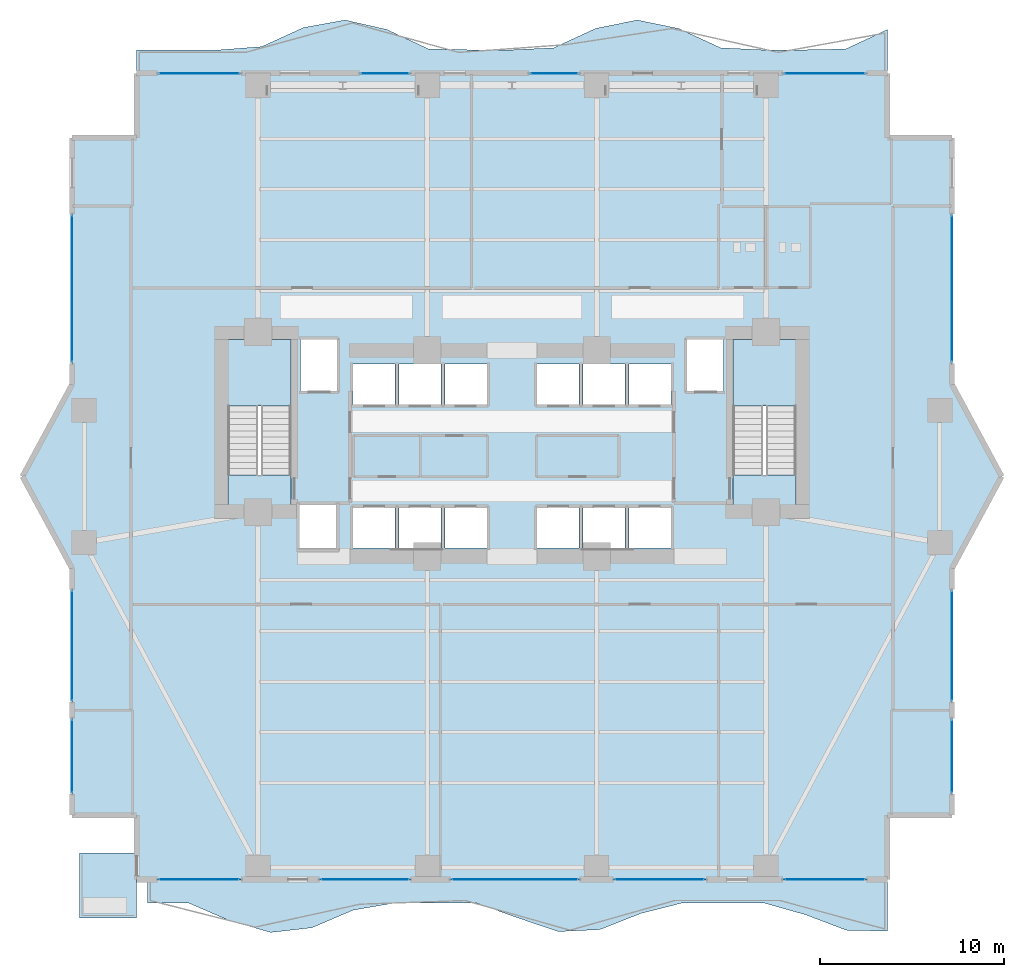
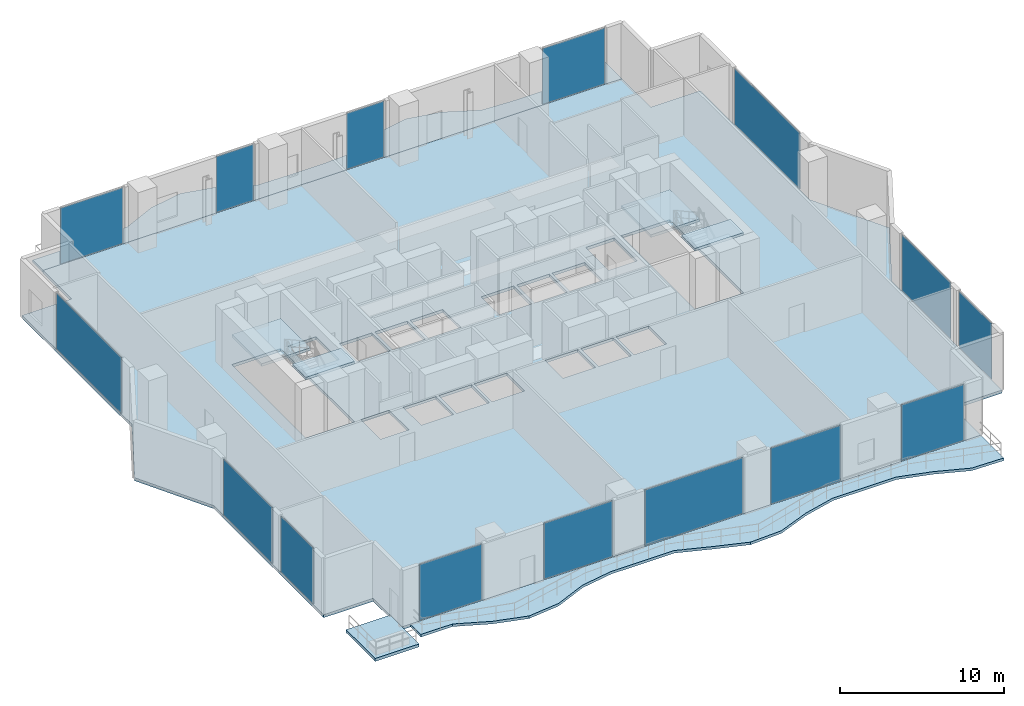
# One storey, part 24 of 33: 15 plates, 8 slabs, 17 elements without a shape of their own.
"""IFC4 building model written with IfcOpenShell, lengths in metres."""

from ifc_helpers import new_model, si_unit, direction, frame, origin, origin_2d, place, context, subcontext, project, spatial, polyline, rectangle, outline, extrude, material, layer, layer_set, type_object, element, aggregate, save


model = new_model("IFC4")

# Units and contexts
model_context = context("Model", 3, precision=1e-05, world=origin(), true_north=direction((0.0, 1.0)))
body_context = subcontext(model_context, "Body", "Model", "MODEL_VIEW")
ifc_project = project(units=[si_unit("LENGTHUNIT", "METRE"), si_unit("AREAUNIT", "SQUARE_METRE"), si_unit("VOLUMEUNIT", "CUBIC_METRE"), si_unit("PLANEANGLEUNIT", "RADIAN"), si_unit("MASSUNIT", "GRAM", prefix="KILO")], contexts=[model_context])

# Site, building, storey
site_placement = place(None, origin())
site = spatial("IfcSite", under=ifc_project, at=site_placement, CompositionType="ELEMENT")
building_placement = place(site_placement, origin())
building = spatial("IfcBuilding", under=site, at=building_placement, Name="Zuhayl Quay Hotel", CompositionType="ELEMENT")
storey_placement = place(building_placement, frame((0.0, 0.0, 154.050048828125)))
storey = spatial("IfcBuildingStorey", under=building, at=storey_placement, Name="L39", CompositionType="ELEMENT", Elevation=154.050048828125)

# Curtain wall, plate
ifc_material_1 = material(Name="Anodised Aluminium 6063-T6", Category="aluminium")
ifc_layer_1 = layer(ifc_material_1, 0.179931640625, Name="Anodised Aluminium 6063-T6", Category="aluminium")
ifc_layer_set_1 = layer_set([ifc_layer_1], Name="Anodised Aluminium 6063-T6")
curtain_wall_type = type_object("IfcCurtainWallType", Name="CW_SYS_Z2", PredefinedType="USERDEFINED", material=ifc_layer_set_1)
curtain_wall_1_placement = place(storey_placement, origin())
curtain_wall_1 = element("IfcCurtainWall", 1, at=curtain_wall_1_placement, inside=storey, type_object=curtain_wall_type, Name="L39 Curtain Wall ENV_L39_E02_CW1", ObjectType="UNITISED CURTAIN WALL", PredefinedType="USERDEFINED")
ifc_material_2 = material(Name="Dark Ceramic-Fritted Solar Glass", Category="glass")
ifc_layer_2 = layer(ifc_material_2, 0.035888671875, Name="Dark Ceramic-Fritted Solar Glass", Category="glass")
ifc_layer_set_2 = layer_set([ifc_layer_2], Name="Dark Ceramic-Fritted Solar Glass")
plate_type = type_object("IfcPlateType", Name="PN_DARK_FRIT_Z1", PredefinedType="CURTAIN_PANEL", material=ifc_layer_set_2)
plate_1_placement = place(storey_placement, frame((-23.89990234375, -8.699951171875, 0.06005859375), z_axis=(0.0, 0.0, 1.0), x_axis=(0.0, 1.0, 0.0)))
plate_1 = element("IfcPlate", 2, at=plate_1_placement, type_object=plate_type, Name="CW-Z2 panel 1.1", PredefinedType="CURTAIN_PANEL", context=body_context, shape_type="SweptSolid", body=[
    extrude(rectangle(XDim=3.969970703125, YDim=0.035888671875, at=origin_2d()), origin(), (0.0, 0.0, 1.0), 4.159912109375),
])
aggregate(curtain_wall_1, [plate_1])

curtain_wall_2_placement = place(storey_placement, origin())
curtain_wall_2 = element("IfcCurtainWall", 3, at=curtain_wall_2_placement, inside=storey, type_object=curtain_wall_type, Name="L39 Curtain Wall ENV_L39_E02_CW2", ObjectType="UNITISED CURTAIN WALL", PredefinedType="USERDEFINED")
plate_2_placement = place(storey_placement, frame((-23.89990234375, -2.699951171875, 0.06005859375), z_axis=(0.0, 0.0, 1.0), x_axis=(0.0, 1.0, 0.0)))
plate_2 = element("IfcPlate", 4, at=plate_2_placement, type_object=plate_type, Name="CW-Z2 panel 1.1", PredefinedType="CURTAIN_PANEL", context=body_context, shape_type="SweptSolid", body=[
    extrude(rectangle(XDim=5.969970703125, YDim=0.035888671875, at=origin_2d()), origin(), (0.0, 0.0, 1.0), 4.159912109375),
])
aggregate(curtain_wall_2, [plate_2])

curtain_wall_3_placement = place(storey_placement, origin())
curtain_wall_3 = element("IfcCurtainWall", 5, at=curtain_wall_3_placement, inside=storey, type_object=curtain_wall_type, Name="L39 Curtain Wall ENV_L39_E05_CW1", ObjectType="UNITISED CURTAIN WALL", PredefinedType="USERDEFINED")
plate_3_placement = place(storey_placement, frame((-23.89990234375, 16.699951171875, 0.06005859375), z_axis=(0.0, 0.0, 1.0), x_axis=(0.0, 1.0, 0.0)))
plate_3 = element("IfcPlate", 6, at=plate_3_placement, type_object=plate_type, Name="CW-Z2 panel 1.1", PredefinedType="CURTAIN_PANEL", context=body_context, shape_type="SweptSolid", body=[
    extrude(rectangle(XDim=7.969970703125, YDim=0.035888671875, at=origin_2d()), origin(), (0.0, 0.0, 1.0), 4.159912109375),
])
aggregate(curtain_wall_3, [plate_3])

curtain_wall_4_placement = place(storey_placement, origin())
curtain_wall_4 = element("IfcCurtainWall", 7, at=curtain_wall_4_placement, inside=storey, type_object=curtain_wall_type, Name="L39 Curtain Wall ENV_L39_N_CW1", ObjectType="UNITISED CURTAIN WALL", PredefinedType="USERDEFINED")
plate_4_placement = place(storey_placement, frame((-16.985107421875, 28.39990234375, 0.06005859375), z_axis=(0.0, 0.0, 1.0), x_axis=(1.0, 0.0, 0.0)))
plate_4 = element("IfcPlate", 8, at=plate_4_placement, type_object=plate_type, Name="CW-Z2 panel 1.1", PredefinedType="CURTAIN_PANEL", context=body_context, shape_type="SweptSolid", body=[
    extrude(rectangle(XDim=4.39990234375, YDim=0.035888671875, at=origin_2d()), origin(), (0.0, 0.0, 1.0), 4.159912109375),
])
aggregate(curtain_wall_4, [plate_4])

curtain_wall_5_placement = place(storey_placement, origin())
curtain_wall_5 = element("IfcCurtainWall", 9, at=curtain_wall_5_placement, inside=storey, type_object=curtain_wall_type, Name="L39 Curtain Wall ENV_L39_N_CW2", ObjectType="UNITISED CURTAIN WALL", PredefinedType="USERDEFINED")
plate_5_placement = place(storey_placement, frame((-6.89990234375, 28.39990234375, 0.06005859375), z_axis=(0.0, 0.0, 1.0), x_axis=(1.0, 0.0, 0.0)))
plate_5 = element("IfcPlate", 10, at=plate_5_placement, type_object=plate_type, Name="CW-Z2 panel 1.1", PredefinedType="CURTAIN_PANEL", context=body_context, shape_type="SweptSolid", body=[
    extrude(rectangle(XDim=2.6298828125, YDim=0.035888671875, at=origin_2d()), origin(), (0.0, 0.0, 1.0), 4.159912109375),
])
aggregate(curtain_wall_5, [plate_5])

curtain_wall_6_placement = place(storey_placement, origin())
curtain_wall_6 = element("IfcCurtainWall", 11, at=curtain_wall_6_placement, inside=storey, type_object=curtain_wall_type, Name="L39 Curtain Wall ENV_L39_N_CW3", ObjectType="UNITISED CURTAIN WALL", PredefinedType="USERDEFINED")
plate_6_placement = place(storey_placement, frame((2.300048828125, 28.39990234375, 0.06005859375), z_axis=(0.0, 0.0, 1.0), x_axis=(1.0, 0.0, 0.0)))
plate_6 = element("IfcPlate", 12, at=plate_6_placement, type_object=plate_type, Name="CW-Z2 panel 1.1", PredefinedType="CURTAIN_PANEL", context=body_context, shape_type="SweptSolid", body=[
    extrude(rectangle(XDim=2.6298828125, YDim=0.035888671875, at=origin_2d()), origin(), (0.0, 0.0, 1.0), 4.159912109375),
])
aggregate(curtain_wall_6, [plate_6])

curtain_wall_7_placement = place(storey_placement, origin())
curtain_wall_7 = element("IfcCurtainWall", 13, at=curtain_wall_7_placement, inside=storey, type_object=curtain_wall_type, Name="L39 Curtain Wall ENV_L39_N_CW4", ObjectType="UNITISED CURTAIN WALL", PredefinedType="USERDEFINED")
plate_7_placement = place(storey_placement, frame((16.985107421875, 28.39990234375, 0.06005859375), z_axis=(0.0, 0.0, 1.0), x_axis=(1.0, 0.0, 0.0)))
plate_7 = element("IfcPlate", 14, at=plate_7_placement, type_object=plate_type, Name="CW-Z2 panel 1.1", PredefinedType="CURTAIN_PANEL", context=body_context, shape_type="SweptSolid", body=[
    extrude(rectangle(XDim=4.39990234375, YDim=0.035888671875, at=origin_2d()), origin(), (0.0, 0.0, 1.0), 4.159912109375),
])
aggregate(curtain_wall_7, [plate_7])

curtain_wall_8_placement = place(storey_placement, origin())
curtain_wall_8 = element("IfcCurtainWall", 15, at=curtain_wall_8_placement, inside=storey, type_object=curtain_wall_type, Name="L39 Curtain Wall ENV_L39_E11_CW1", ObjectType="UNITISED CURTAIN WALL", PredefinedType="USERDEFINED")
plate_8_placement = place(storey_placement, frame((23.89990234375, 16.699951171875, 0.06005859375), z_axis=(0.0, 0.0, 1.0), x_axis=(0.0, -1.0, 0.0)))
plate_8 = element("IfcPlate", 16, at=plate_8_placement, type_object=plate_type, Name="CW-Z2 panel 1.1", PredefinedType="CURTAIN_PANEL", context=body_context, shape_type="SweptSolid", body=[
    extrude(rectangle(XDim=7.969970703125, YDim=0.035888671875, at=origin_2d()), origin(), (0.0, 0.0, 1.0), 4.159912109375),
])
aggregate(curtain_wall_8, [plate_8])

curtain_wall_9_placement = place(storey_placement, origin())
curtain_wall_9 = element("IfcCurtainWall", 17, at=curtain_wall_9_placement, inside=storey, type_object=curtain_wall_type, Name="L39 Curtain Wall ENV_L39_E14_CW1", ObjectType="UNITISED CURTAIN WALL", PredefinedType="USERDEFINED")
plate_9_placement = place(storey_placement, frame((23.89990234375, -2.699951171875, 0.06005859375), z_axis=(0.0, 0.0, 1.0), x_axis=(0.0, -1.0, 0.0)))
plate_9 = element("IfcPlate", 18, at=plate_9_placement, type_object=plate_type, Name="CW-Z2 panel 1.1", PredefinedType="CURTAIN_PANEL", context=body_context, shape_type="SweptSolid", body=[
    extrude(rectangle(XDim=5.969970703125, YDim=0.035888671875, at=origin_2d()), origin(), (0.0, 0.0, 1.0), 4.159912109375),
])
aggregate(curtain_wall_9, [plate_9])

curtain_wall_10_placement = place(storey_placement, origin())
curtain_wall_10 = element("IfcCurtainWall", 19, at=curtain_wall_10_placement, inside=storey, type_object=curtain_wall_type, Name="L39 Curtain Wall ENV_L39_E14_CW2", ObjectType="UNITISED CURTAIN WALL", PredefinedType="USERDEFINED")
plate_10_placement = place(storey_placement, frame((23.89990234375, -8.699951171875, 0.06005859375), z_axis=(0.0, 0.0, 1.0), x_axis=(0.0, -1.0, 0.0)))
plate_10 = element("IfcPlate", 20, at=plate_10_placement, type_object=plate_type, Name="CW-Z2 panel 1.1", PredefinedType="CURTAIN_PANEL", context=body_context, shape_type="SweptSolid", body=[
    extrude(rectangle(XDim=3.969970703125, YDim=0.035888671875, at=origin_2d()), origin(), (0.0, 0.0, 1.0), 4.159912109375),
])
aggregate(curtain_wall_10, [plate_10])

curtain_wall_11_placement = place(storey_placement, origin())
curtain_wall_11 = element("IfcCurtainWall", 21, at=curtain_wall_11_placement, inside=storey, type_object=curtain_wall_type, Name="L39 Curtain Wall ENV_L39_S_CW1", ObjectType="UNITISED CURTAIN WALL", PredefinedType="USERDEFINED")
plate_11_placement = place(storey_placement, frame((16.985107421875, -15.39990234375, 0.06005859375), z_axis=(0.0, 0.0, 1.0), x_axis=(-1.0, 0.0, 0.0)))
plate_11 = element("IfcPlate", 22, at=plate_11_placement, type_object=plate_type, Name="CW-Z2 panel 1.1", PredefinedType="CURTAIN_PANEL", context=body_context, shape_type="SweptSolid", body=[
    extrude(rectangle(XDim=4.39990234375, YDim=0.035888671875, at=origin_2d()), origin(), (0.0, 0.0, 1.0), 4.159912109375),
])
aggregate(curtain_wall_11, [plate_11])

curtain_wall_12_placement = place(storey_placement, origin())
curtain_wall_12 = element("IfcCurtainWall", 23, at=curtain_wall_12_placement, inside=storey, type_object=curtain_wall_type, Name="L39 Curtain Wall ENV_L39_S_CW2", ObjectType="UNITISED CURTAIN WALL", PredefinedType="USERDEFINED")
plate_12_placement = place(storey_placement, frame((8.034912109375, -15.39990234375, 0.06005859375), z_axis=(0.0, 0.0, 1.0), x_axis=(-1.0, 0.0, 0.0)))
plate_12 = element("IfcPlate", 24, at=plate_12_placement, type_object=plate_type, Name="CW-Z2 panel 1.1", PredefinedType="CURTAIN_PANEL", context=body_context, shape_type="SweptSolid", body=[
    extrude(rectangle(XDim=4.89990234375, YDim=0.035888671875, at=origin_2d()), origin(), (0.0, 0.0, 1.0), 4.159912109375),
])
aggregate(curtain_wall_12, [plate_12])

curtain_wall_13_placement = place(storey_placement, origin())
curtain_wall_13 = element("IfcCurtainWall", 25, at=curtain_wall_13_placement, inside=storey, type_object=curtain_wall_type, Name="L39 Curtain Wall ENV_L39_S_CW3", ObjectType="UNITISED CURTAIN WALL", PredefinedType="USERDEFINED")
plate_13_placement = place(storey_placement, frame((0.1650390625, -15.39990234375, 0.06005859375), z_axis=(0.0, 0.0, 1.0), x_axis=(-1.0, 0.0, 0.0)))
plate_13 = element("IfcPlate", 26, at=plate_13_placement, type_object=plate_type, Name="CW-Z2 panel 1.1", PredefinedType="CURTAIN_PANEL", context=body_context, shape_type="SweptSolid", body=[
    extrude(rectangle(XDim=6.89990234375, YDim=0.035888671875, at=origin_2d()), origin(), (0.0, 0.0, 1.0), 4.159912109375),
])
aggregate(curtain_wall_13, [plate_13])

curtain_wall_14_placement = place(storey_placement, origin())
curtain_wall_14 = element("IfcCurtainWall", 27, at=curtain_wall_14_placement, inside=storey, type_object=curtain_wall_type, Name="L39 Curtain Wall ENV_L39_S_CW4", ObjectType="UNITISED CURTAIN WALL", PredefinedType="USERDEFINED")
plate_14_placement = place(storey_placement, frame((-7.992431640625, -15.39990234375, 0.06005859375), z_axis=(0.0, 0.0, 1.0), x_axis=(-1.0, 0.0, 0.0)))
plate_14 = element("IfcPlate", 28, at=plate_14_placement, type_object=plate_type, Name="CW-Z2 panel 1.1", PredefinedType="CURTAIN_PANEL", context=body_context, shape_type="SweptSolid", body=[
    extrude(rectangle(XDim=4.81494140625, YDim=0.035888671875, at=origin_2d()), origin(), (0.0, 0.0, 1.0), 4.159912109375),
])
aggregate(curtain_wall_14, [plate_14])

curtain_wall_15_placement = place(storey_placement, origin())
curtain_wall_15 = element("IfcCurtainWall", 29, at=curtain_wall_15_placement, inside=storey, type_object=curtain_wall_type, Name="L39 Curtain Wall ENV_L39_S_CW5", ObjectType="UNITISED CURTAIN WALL", PredefinedType="USERDEFINED")
plate_15_placement = place(storey_placement, frame((-16.985107421875, -15.39990234375, 0.06005859375), z_axis=(0.0, 0.0, 1.0), x_axis=(-1.0, 0.0, 0.0)))
plate_15 = element("IfcPlate", 30, at=plate_15_placement, type_object=plate_type, Name="CW-Z2 panel 1.1", PredefinedType="CURTAIN_PANEL", context=body_context, shape_type="SweptSolid", body=[
    extrude(rectangle(XDim=4.39990234375, YDim=0.035888671875, at=origin_2d()), origin(), (0.0, 0.0, 1.0), 4.159912109375),
])
aggregate(curtain_wall_15, [plate_15])

# Slabs
ifc_material_3 = material(Name="Concrete C45/55", Category="concrete")
ifc_layer_3 = layer(ifc_material_3, 0.195068359375, Name="Concrete C45/55", Category="concrete")
ifc_layer_set_3 = layer_set([ifc_layer_3], Name="Concrete C45/55")
slab_type_1 = type_object("IfcSlabType", Name="SL_BALCONY_195", PredefinedType="FLOOR", material=ifc_layer_set_3)
slab_1_placement = place(storey_placement, frame((0.0, 0.0, -0.195068359375)))
element("IfcSlab", 31, at=slab_1_placement, inside=storey, type_object=slab_type_1, Name="L39 Exterior Rippling Balcony Slab North", PredefinedType="FLOOR", context=body_context, shape_type="SweptSolid", body=[
    extrude(outline(polyline([(-20.39990234375, 28.39990234375), (20.39990234375, 28.39990234375), (20.39990234375, 30.78466796875), (18.13330078125, 29.7265625), (15.86669921875, 29.679931640625), (13.60009765625, 29.679931640625), (11.333251953125, 29.7900390625), (9.066650390625, 30.836669921875), (6.800048828125, 31.300048828125), (4.533203125, 30.836669921875), (2.2666015625, 29.7900390625), (0.0, 29.679931640625), (-2.2666015625, 29.679931640625), (-4.533203125, 29.7265625), (-6.800048828125, 30.78466796875), (-9.066650390625, 31.29833984375), (-11.333251953125, 30.886474609375), (-13.60009765625, 29.8544921875), (-15.86669921875, 29.679931640625), (-18.13330078125, 29.679931640625), (-20.39990234375, 29.679931640625), (-20.39990234375, 28.39990234375)])), origin(), (0.0, 0.0, 1.0), 0.195068359375),
])
slab_2_placement = place(storey_placement, frame((0.0, 0.0, -0.195068359375)))
element("IfcSlab", 32, at=slab_2_placement, inside=storey, type_object=slab_type_1, Name="L39 Exterior Rippling Balcony Slab South", PredefinedType="FLOOR", context=body_context, shape_type="SweptSolid", body=[
    extrude(outline(polyline([(-19.800048828125, -16.679931640625), (-17.566650390625, -16.679931640625), (-15.333251953125, -17.646484375), (-13.10009765625, -18.27587890625), (-10.86669921875, -18.021484375), (-8.63330078125, -17.06640625), (-6.39990234375, -16.679931640625), (-4.166748046875, -16.679931640625), (-1.933349609375, -16.679931640625), (0.300048828125, -17.482666015625), (2.533203125, -18.228271484375), (4.7666015625, -18.124267578125), (7.0, -17.24560546875), (9.2333984375, -16.679931640625), (11.466796875, -16.679931640625), (13.699951171875, -16.679931640625), (15.933349609375, -17.309814453125), (18.166748046875, -18.15625), (20.39990234375, -18.204833984375), (20.39990234375, -15.39990234375), (-19.800048828125, -15.39990234375), (-19.800048828125, -16.679931640625)])), origin(), (0.0, 0.0, 1.0), 0.195068359375),
])
ifc_layer_4 = layer(ifc_material_3, 0.219970703125, Name="Concrete C45/55", Category="concrete")
ifc_layer_set_4 = layer_set([ifc_layer_4], Name="Concrete C45/55")
slab_type_2 = type_object("IfcSlabType", Name="SL_FLOOR_220", PredefinedType="FLOOR", material=ifc_layer_set_4)
slab_3_placement = place(storey_placement, frame((0.0, 0.0, -0.219970703125)))
element("IfcSlab", 33, at=slab_3_placement, inside=storey, type_object=slab_type_2, Name="L39 Structural Floor Slab", PredefinedType="FLOOR", context=body_context, shape_type="SweptSolid", body=[
    extrude(outline(polyline([(-20.39990234375, -15.39990234375), (20.39990234375, -15.39990234375), (20.39990234375, -11.89990234375), (23.89990234375, -11.89990234375), (23.89990234375, 1.5), (26.60009765625, 6.5), (23.89990234375, 11.5), (23.89990234375, 24.89990234375), (20.39990234375, 24.89990234375), (20.39990234375, 28.39990234375), (-20.39990234375, 28.39990234375), (-20.39990234375, 24.89990234375), (-23.89990234375, 24.89990234375), (-23.89990234375, 11.5), (-26.60009765625, 6.5), (-23.89990234375, 1.5), (-23.89990234375, -11.89990234375), (-20.39990234375, -11.89990234375), (-20.39990234375, -15.39990234375)]), holes=[polyline([(-12.0, 4.949951171875), (-12.0, 13.949951171875), (-15.429931640625, 13.949951171875), (-15.429931640625, 4.949951171875), (-12.0, 4.949951171875)]), polyline([(15.429931640625, 4.949951171875), (15.429931640625, 13.949951171875), (12.0, 13.949951171875), (12.0, 4.949951171875), (15.429931640625, 4.949951171875)]), polyline([(-11.5, 11.14990234375), (-9.5, 11.14990234375), (-9.5, 13.949951171875), (-11.5, 13.949951171875), (-11.5, 11.14990234375)]), polyline([(9.5, 11.14990234375), (11.5, 11.14990234375), (11.5, 13.949951171875), (9.5, 13.949951171875), (9.5, 11.14990234375)]), polyline([(-8.64990234375, 2.60009765625), (-6.35009765625, 2.60009765625), (-6.35009765625, 4.800048828125), (-8.64990234375, 4.800048828125), (-8.64990234375, 2.60009765625)]), polyline([(-6.14990234375, 2.60009765625), (-3.85009765625, 2.60009765625), (-3.85009765625, 4.800048828125), (-6.14990234375, 4.800048828125), (-6.14990234375, 2.60009765625)]), polyline([(-8.64990234375, 10.39990234375), (-6.35009765625, 10.39990234375), (-6.35009765625, 12.60009765625), (-8.64990234375, 12.60009765625), (-8.64990234375, 10.39990234375)]), polyline([(-6.14990234375, 10.39990234375), (-3.85009765625, 10.39990234375), (-3.85009765625, 12.60009765625), (-6.14990234375, 12.60009765625), (-6.14990234375, 10.39990234375)]), polyline([(-3.64990234375, 2.60009765625), (-1.35009765625, 2.60009765625), (-1.35009765625, 4.800048828125), (-3.64990234375, 4.800048828125), (-3.64990234375, 2.60009765625)]), polyline([(1.35009765625, 2.60009765625), (3.64990234375, 2.60009765625), (3.64990234375, 4.800048828125), (1.35009765625, 4.800048828125), (1.35009765625, 2.60009765625)]), polyline([(-3.64990234375, 10.39990234375), (-1.35009765625, 10.39990234375), (-1.35009765625, 12.60009765625), (-3.64990234375, 12.60009765625), (-3.64990234375, 10.39990234375)]), polyline([(1.35009765625, 10.39990234375), (3.64990234375, 10.39990234375), (3.64990234375, 12.60009765625), (1.35009765625, 12.60009765625), (1.35009765625, 10.39990234375)]), polyline([(3.85009765625, 2.60009765625), (6.14990234375, 2.60009765625), (6.14990234375, 4.800048828125), (3.85009765625, 4.800048828125), (3.85009765625, 2.60009765625)]), polyline([(6.35009765625, 2.60009765625), (8.64990234375, 2.60009765625), (8.64990234375, 4.800048828125), (6.35009765625, 4.800048828125), (6.35009765625, 2.60009765625)]), polyline([(3.85009765625, 10.39990234375), (6.14990234375, 10.39990234375), (6.14990234375, 12.60009765625), (3.85009765625, 12.60009765625), (3.85009765625, 10.39990234375)]), polyline([(6.35009765625, 10.39990234375), (8.64990234375, 10.39990234375), (8.64990234375, 12.60009765625), (6.35009765625, 12.60009765625), (6.35009765625, 10.39990234375)]), polyline([(-11.550048828125, 2.550048828125), (-9.550048828125, 2.550048828125), (-9.550048828125, 4.949951171875), (-11.550048828125, 4.949951171875), (-11.550048828125, 2.550048828125)])]), origin(), (0.0, 0.0, 1.0), 0.219970703125),
])

# Stair, slabs
stair_type = type_object("IfcStairType", Name="ST_DOGLEG_TOWER", PredefinedType="HALF_TURN_STAIR", material=ifc_material_3)
stair_1_placement = place(storey_placement, origin())
stair_1 = element("IfcStair", 34, at=stair_1_placement, inside=storey, type_object=stair_type, Name="L39 Smokeproof Exit Stair ST1", PredefinedType="HALF_TURN_STAIR")
ifc_layer_5 = layer(ifc_material_3, 0.199951171875, Name="Concrete C45/55", Category="concrete")
ifc_layer_set_5 = layer_set([ifc_layer_5], Name="Concrete C45/55")
slab_type_3 = type_object("IfcSlabType", Name="SL_STAIR_LANDING_200", PredefinedType="LANDING", material=ifc_layer_set_5)
slab_4_placement = place(storey_placement, frame((0.0, 0.0, 2.050048828125)))
slab_4 = element("IfcSlab", 35, at=slab_4_placement, type_object=slab_type_3, Name="ST1 landing 1", PredefinedType="LANDING", context=body_context, shape_type="SweptSolid", body=[
    extrude(outline(polyline([(-12.0, 10.330078125), (-12.0, 13.949951171875), (-15.429931640625, 13.949951171875), (-15.429931640625, 10.330078125), (-12.0, 10.330078125)])), origin(), (0.0, 0.0, 1.0), 0.199951171875),
])
slab_5_placement = place(storey_placement, frame((0.0, 0.0, 4.300048828125)))
slab_5 = element("IfcSlab", 36, at=slab_5_placement, type_object=slab_type_3, Name="ST1 landing 2", PredefinedType="LANDING", context=body_context, shape_type="SweptSolid", body=[
    extrude(outline(polyline([(-12.0, 4.949951171875), (-12.0, 6.590087890625), (-15.429931640625, 6.590087890625), (-15.429931640625, 4.949951171875), (-12.0, 4.949951171875)])), origin(), (0.0, 0.0, 1.0), 0.199951171875),
])
aggregate(stair_1, [slab_4, slab_5])

stair_2_placement = place(storey_placement, origin())
stair_2 = element("IfcStair", 37, at=stair_2_placement, inside=storey, type_object=stair_type, Name="L39 Smokeproof Exit Stair ST2", PredefinedType="HALF_TURN_STAIR")
slab_6_placement = place(storey_placement, frame((0.0, 0.0, 2.050048828125)))
slab_6 = element("IfcSlab", 38, at=slab_6_placement, type_object=slab_type_3, Name="ST2 landing 1", PredefinedType="LANDING", context=body_context, shape_type="SweptSolid", body=[
    extrude(outline(polyline([(15.429931640625, 10.330078125), (15.429931640625, 13.949951171875), (12.0, 13.949951171875), (12.0, 10.330078125), (15.429931640625, 10.330078125)])), origin(), (0.0, 0.0, 1.0), 0.199951171875),
])
slab_7_placement = place(storey_placement, frame((0.0, 0.0, 4.300048828125)))
slab_7 = element("IfcSlab", 39, at=slab_7_placement, type_object=slab_type_3, Name="ST2 landing 2", PredefinedType="LANDING", context=body_context, shape_type="SweptSolid", body=[
    extrude(outline(polyline([(15.429931640625, 4.949951171875), (15.429931640625, 6.590087890625), (12.0, 6.590087890625), (12.0, 4.949951171875), (15.429931640625, 4.949951171875)])), origin(), (0.0, 0.0, 1.0), 0.199951171875),
])
aggregate(stair_2, [slab_6, slab_7])

# Slab
ifc_layer_6 = layer(ifc_material_3, 0.219970703125, Name="Concrete C45/55", Category="concrete")
ifc_layer_set_6 = layer_set([ifc_layer_6], Name="Concrete C45/55")
slab_type_4 = type_object("IfcSlabType", Name="SL_TERRACE_235", PredefinedType="FLOOR", material=ifc_layer_set_6)
slab_8_placement = place(storey_placement, frame((0.0, 0.0, -0.219970703125)))
element("IfcSlab", 40, at=slab_8_placement, inside=storey, type_object=slab_type_4, Name="L39 Exterior Sky-Terrace Slab L39_SPIRAL_SW", PredefinedType="FLOOR", context=body_context, shape_type="SweptSolid", body=[
    extrude(outline(polyline([(-23.5, -17.5), (-20.39990234375, -17.5), (-20.39990234375, -13.949951171875), (-23.5, -13.949951171875), (-23.5, -17.5)])), origin(), (0.0, 0.0, 1.0), 0.219970703125),
])

save(model, "model.ifc")
